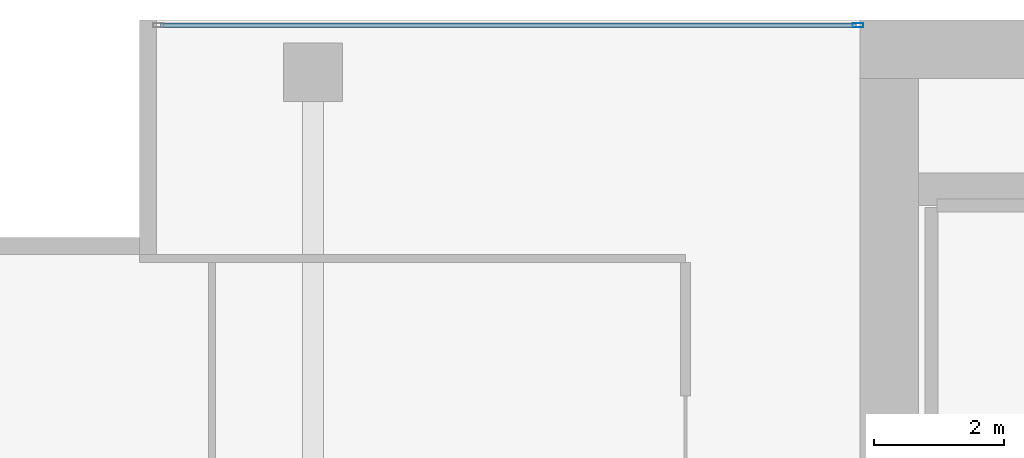
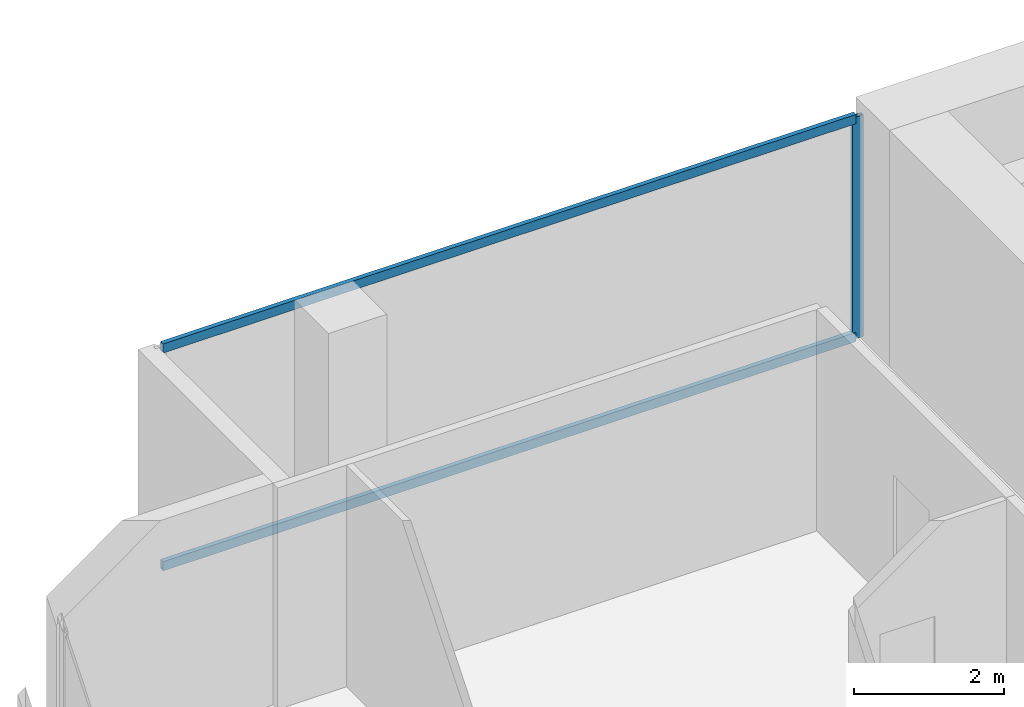
# One storey, part 26 of 40: 3 members, 1 element without a shape of its own.
"""IFC4 building model written with IfcOpenShell, lengths in metres."""

from ifc_helpers import new_model, si_unit, direction, frame, origin, origin_2d, place, context, subcontext, project, spatial, hollow_rectangle, extrude, material, layer, layer_set, material_profile, profile_set, type_object, element, aggregate, save


model = new_model("IFC4")

# Units and contexts
model_context = context("Model", 3, precision=1e-05, world=origin(), true_north=direction((0.0, 1.0)))
body_context = subcontext(model_context, "Body", "Model", "MODEL_VIEW")
ifc_project = project(units=[si_unit("LENGTHUNIT", "METRE"), si_unit("AREAUNIT", "SQUARE_METRE"), si_unit("VOLUMEUNIT", "CUBIC_METRE"), si_unit("PLANEANGLEUNIT", "RADIAN"), si_unit("MASSUNIT", "GRAM", prefix="KILO")], contexts=[model_context])

# Site, building, storey
site_placement = place(None, origin())
site = spatial("IfcSite", under=ifc_project, at=site_placement, CompositionType="ELEMENT")
building_placement = place(site_placement, origin())
building = spatial("IfcBuilding", under=site, at=building_placement, Name="Maruvema Waterfront Hotel and Observation Tower", CompositionType="ELEMENT")
storey_placement = place(building_placement, frame((0.0, 0.0, 42.35009765625)))
storey = spatial("IfcBuildingStorey", under=building, at=storey_placement, Name="L09", CompositionType="ELEMENT", Elevation=42.35009765625)

# Curtain wall, members
ifc_material_1 = material(Name="Anodised bronze aluminium and solar-control low-E IGU", Category="aluminium")
ifc_layer = layer(ifc_material_1, 0.159912109375, Name="Zone 1 Bronze Inner Thermal Curtain Wall System CW-02")
ifc_layer_set = layer_set([ifc_layer], Name="Anodised bronze aluminium and solar-control low-E IGU")
curtain_wall_type = type_object("IfcCurtainWallType", Name="Zone 1 Bronze Inner Thermal Curtain Wall System CW-02", PredefinedType="USERDEFINED", material=ifc_layer_set)
curtain_wall_placement = place(storey_placement, origin())
curtain_wall = element("IfcCurtainWall", 1, at=curtain_wall_placement, inside=storey, type_object=curtain_wall_type, Name="L09 Curtain Wall CW-L09-NW", ObjectType="UNITISED CURTAIN WALL", PredefinedType="USERDEFINED")
ifc_material_2 = material(Name="Anodised architectural bronze aluminium", Category="aluminium")
ifc_material_profile_1 = material_profile(ifc_material_2, hollow_rectangle(XDim=0.070068359375, YDim=0.14990234375, WallThickness=0.00390625, at=origin_2d()), Name="ALU-T70x150")
ifc_profile_set_1 = profile_set([ifc_material_profile_1], Name="Anodised architectural bronze aluminium")
member_type_1 = type_object("IfcMemberType", Name="Curtain Wall Horizontal Transom ALU-T70x150", PredefinedType="USERDEFINED", material=ifc_profile_set_1)
member_1_placement = place(storey_placement, frame((25.139892578125, 53.919921875, 0.02978515625), z_axis=(-1.0, 0.0, 0.0), x_axis=(0.0, -1.0, 0.0)))
member_1 = element("IfcMember", 2, at=member_1_placement, type_object=member_type_1, Name="CW-02 transom 1.1", ObjectType="TRANSOM", PredefinedType="USERDEFINED", context=body_context, shape_type="SweptSolid", body=[
    extrude(hollow_rectangle(XDim=0.070068359375, YDim=0.14990234375, WallThickness=0.00390625, at=origin_2d()), origin(), (0.0, 0.0, 1.0), 10.679931640625),
])
member_2_placement = place(storey_placement, frame((25.139892578125, 53.919921875, 3.579833984375), z_axis=(-1.0, 0.0, 0.0), x_axis=(0.0, -1.0, 0.0)))
member_2 = element("IfcMember", 3, at=member_2_placement, type_object=member_type_1, Name="CW-02 transom 1.2", ObjectType="TRANSOM", PredefinedType="USERDEFINED", context=body_context, shape_type="SweptSolid", body=[
    extrude(hollow_rectangle(XDim=0.070068359375, YDim=0.14990234375, WallThickness=0.00390625, at=origin_2d()), origin(), (0.0, 0.0, 1.0), 10.679931640625),
])
ifc_material_3 = material(Name="Anodised architectural bronze aluminium", Category="aluminium")
ifc_material_profile_2 = material_profile(ifc_material_3, hollow_rectangle(XDim=0.06494140625, YDim=0.1650390625, WallThickness=0.00390625, at=origin_2d()), Name="ALU-M65x165")
ifc_profile_set_2 = profile_set([ifc_material_profile_2], Name="Anodised architectural bronze aluminium")
member_type_2 = type_object("IfcMemberType", Name="Curtain Wall Primary Mullion ALU-M65x165", PredefinedType="MULLION", material=ifc_profile_set_2)
member_3_placement = place(storey_placement, frame((25.169921875, 53.919921875, 0.0), z_axis=(0.0, 0.0, 1.0), x_axis=(0.0, -1.0, 0.0)))
member_3 = element("IfcMember", 4, at=member_3_placement, type_object=member_type_2, Name="CW-02 mullion 1", PredefinedType="MULLION", context=body_context, shape_type="SweptSolid", body=[
    extrude(hollow_rectangle(XDim=0.06494140625, YDim=0.1650390625, WallThickness=0.00390625, at=origin_2d()), origin(), (0.0, 0.0, 1.0), 3.60986328125),
])
aggregate(curtain_wall, [member_3, member_1, member_2])

save(model, "model.ifc")
